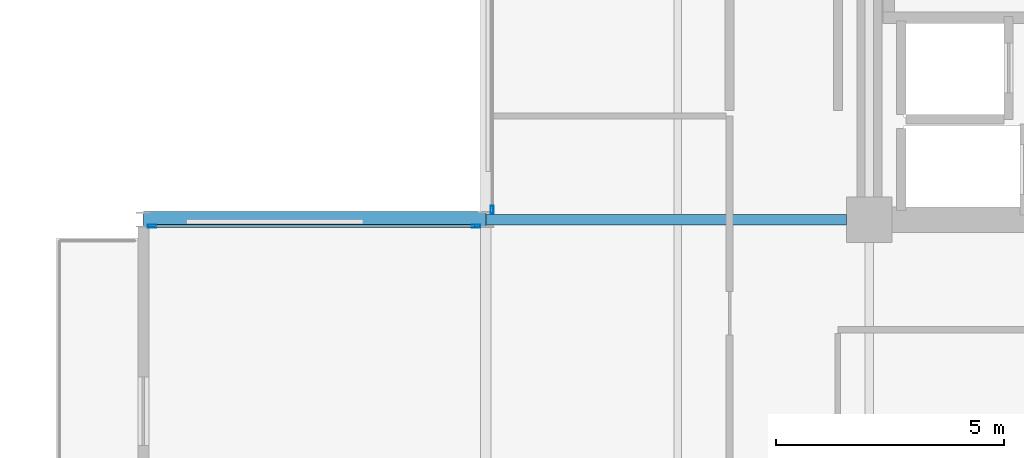
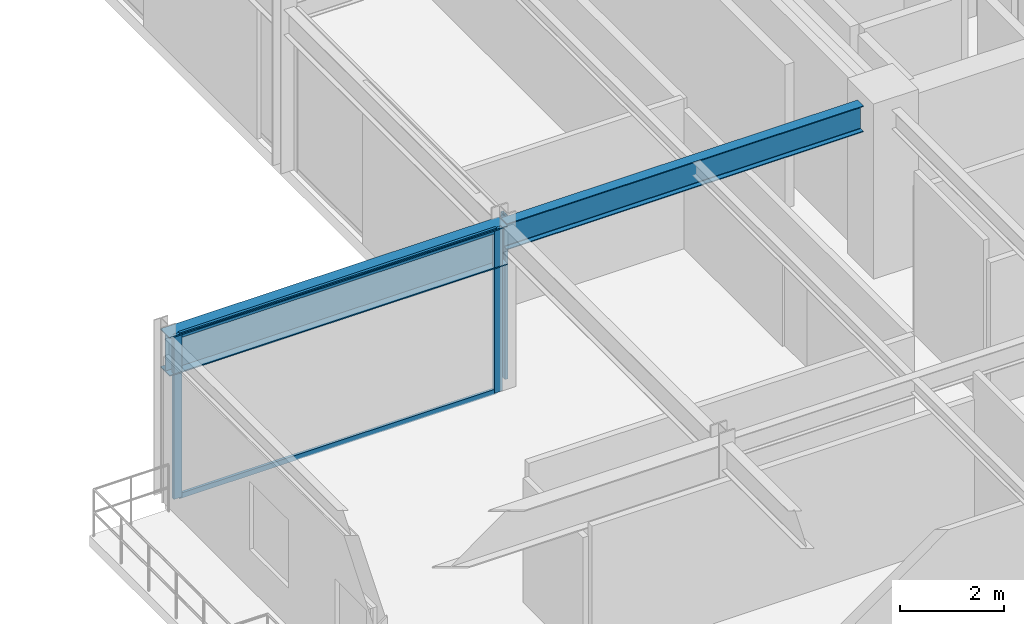
# One storey, part 9 of 29: 5 members, 2 beams, 2 elements without a shape of their own.
"""IFC4 building model written with IfcOpenShell, lengths in metres."""

from ifc_helpers import new_model, si_unit, direction, frame, origin, origin_2d, place, context, subcontext, project, spatial, hollow_rectangle, i_section, extrude, material, layer, layer_set, material_profile, profile_set, type_object, element, aggregate, save


model = new_model("IFC4")

# Units and contexts
model_context = context("Model", 3, precision=1e-05, world=origin(), true_north=direction((0.0, 1.0)))
body_context = subcontext(model_context, "Body", "Model", "MODEL_VIEW")
ifc_project = project(units=[si_unit("LENGTHUNIT", "METRE"), si_unit("AREAUNIT", "SQUARE_METRE"), si_unit("VOLUMEUNIT", "CUBIC_METRE"), si_unit("PLANEANGLEUNIT", "RADIAN"), si_unit("MASSUNIT", "GRAM", prefix="KILO")], contexts=[model_context])

# Site, building, storey
site_placement = place(None, origin())
site = spatial("IfcSite", under=ifc_project, at=site_placement, CompositionType="ELEMENT")
building_placement = place(site_placement, origin())
building = spatial("IfcBuilding", under=site, at=building_placement, Name="Nerrivon Quay Data Exchange", CompositionType="ELEMENT")
storey_placement = place(building_placement, frame((0.0, 0.0, 208.300048828125)))
storey = spatial("IfcBuildingStorey", under=building, at=storey_placement, Name="L49", CompositionType="ELEMENT", Elevation=208.300048828125)

# Beams
ifc_material_1 = material(Name="Steel Grade 350", Category="steel")
ifc_material_profile_1 = material_profile(ifc_material_1, i_section(OverallWidth=0.35009765625, OverallDepth=0.909912109375, WebThickness=0.011962890625, FlangeThickness=0.02490234375, at=origin_2d()), Name="900WB218")
ifc_profile_set_1 = profile_set([ifc_material_profile_1], Name="Steel Grade 350")
beam_type_1 = type_object("IfcBeamType", Name="BM-CANT-900WB", PredefinedType="USERDEFINED", material=ifc_profile_set_1)
beam_1_placement = place(storey_placement, frame((-0.010009765625, 25.199951171875, 3.369873046875), z_axis=(-1.0, 0.0, 0.0), x_axis=(0.0, -1.0, 0.0)))
element("IfcBeam", 1, at=beam_1_placement, inside=storey, type_object=beam_type_1, Name="L49 West Hooked Cantilever Girder Y=25.2", ObjectType="TRANSFER", PredefinedType="USERDEFINED", context=body_context, shape_type="SweptSolid", body=[
    extrude(i_section(OverallWidth=0.35009765625, OverallDepth=0.909912109375, WebThickness=0.011962890625, FlangeThickness=0.02490234375, at=origin_2d()), origin(), (0.0, 0.0, 1.0), 7.482177734375),
])
ifc_material_profile_2 = material_profile(ifc_material_1, i_section(OverallWidth=0.22900390625, OverallDepth=0.612060546875, WebThickness=0.011962890625, FlangeThickness=0.01953125, FilletRadius=0.013916015625, at=origin_2d()), Name="610UB125")
ifc_profile_set_2 = profile_set([ifc_material_profile_2], Name="Steel Grade 350")
beam_type_2 = type_object("IfcBeamType", Name="BM-G1-610UB125", PredefinedType="BEAM", material=ifc_profile_set_2)
beam_2_placement = place(storey_placement, frame((0.010009765625, 25.199951171875, 3.51904296875), z_axis=(1.0, 0.0, 0.0), x_axis=(0.0, 1.0, 0.0)))
element("IfcBeam", 2, at=beam_2_placement, inside=storey, type_object=beam_type_2, Name="L49 EW Girder Y=25.2 (0.0..8.4)", PredefinedType="BEAM", context=body_context, shape_type="SweptSolid", body=[
    extrude(i_section(OverallWidth=0.22900390625, OverallDepth=0.612060546875, WebThickness=0.011962890625, FlangeThickness=0.01953125, FilletRadius=0.013916015625, at=origin_2d()), origin(), (0.0, 0.0, 1.0), 7.889892578125),
])

# Curtain wall, members
ifc_material_2 = material(Name="Anodised aluminium 6063-T6", Category="aluminium")
ifc_layer_1 = layer(ifc_material_2, 0.199951171875)
ifc_layer_set_1 = layer_set([ifc_layer_1], Name="Anodised aluminium 6063-T6")
curtain_wall_type_1 = type_object("IfcCurtainWallType", Name="CW-SYS-04", PredefinedType="NOTDEFINED", material=ifc_layer_set_1)
curtain_wall_1_placement = place(storey_placement, origin())
curtain_wall_1 = element("IfcCurtainWall", 3, at=curtain_wall_1_placement, inside=storey, type_object=curtain_wall_type_1, Name="L49 Unitised Curtain Wall 3", PredefinedType="NOTDEFINED")
ifc_material_profile_3 = material_profile(ifc_material_2, hollow_rectangle(XDim=0.06494140625, YDim=0.179931640625, WallThickness=0.00341796875, at=origin_2d()), Name="ALU-MULL-180x65")
ifc_profile_set_3 = profile_set([ifc_material_profile_3], Name="Anodised aluminium 6063-T6")
member_type_1 = type_object("IfcMemberType", Name="CWM-180x65", PredefinedType="MULLION", material=ifc_profile_set_3)
member_1_placement = place(storey_placement, frame((-7.306884765625, 25.06005859375, 0.0), z_axis=(0.0, 0.0, 1.0), x_axis=(0.0, 1.0, 0.0)))
member_1 = element("IfcMember", 4, at=member_1_placement, type_object=member_type_1, Name="CW04 mullion 1", PredefinedType="MULLION", context=body_context, shape_type="SweptSolid", body=[
    extrude(hollow_rectangle(XDim=0.06494140625, YDim=0.179931640625, WallThickness=0.00341796875, at=origin_2d()), origin(), (0.0, 0.0, 1.0), 3.824951171875),
])
member_2_placement = place(storey_placement, frame((-0.21240234375, 25.06005859375, 0.0), z_axis=(0.0, 0.0, 1.0), x_axis=(0.0, 1.0, 0.0)))
member_2 = element("IfcMember", 5, at=member_2_placement, type_object=member_type_1, Name="CW04 mullion 2", PredefinedType="MULLION", context=body_context, shape_type="SweptSolid", body=[
    extrude(hollow_rectangle(XDim=0.06494140625, YDim=0.179931640625, WallThickness=0.00341796875, at=origin_2d()), origin(), (0.0, 0.0, 1.0), 3.824951171875),
])

# Curtain wall, member
ifc_layer_2 = layer(ifc_material_2, 0.195068359375)
ifc_layer_set_2 = layer_set([ifc_layer_2], Name="Anodised aluminium 6063-T6")
curtain_wall_type_2 = type_object("IfcCurtainWallType", Name="CW-SYS-06", PredefinedType="NOTDEFINED", material=ifc_layer_set_2)
curtain_wall_2_placement = place(storey_placement, origin())
curtain_wall_2 = element("IfcCurtainWall", 6, at=curtain_wall_2_placement, inside=storey, type_object=curtain_wall_type_2, Name="L49 Unitised Curtain Wall 4", PredefinedType="NOTDEFINED")
member_3_placement = place(storey_placement, frame((0.139892578125, 25.41259765625, 0.0), z_axis=(0.0, 0.0, 1.0), x_axis=(-1.0, 0.0, 0.0)))
member_3 = element("IfcMember", 7, at=member_3_placement, type_object=member_type_1, Name="CW06 mullion 1", PredefinedType="MULLION", context=body_context, shape_type="SweptSolid", body=[
    extrude(hollow_rectangle(XDim=0.06494140625, YDim=0.179931640625, WallThickness=0.00341796875, at=origin_2d()), origin(), (0.0, 0.0, 1.0), 3.824951171875),
])
aggregate(curtain_wall_2, [member_3])

# Member
ifc_material_profile_4 = material_profile(ifc_material_2, hollow_rectangle(XDim=0.06005859375, YDim=0.1201171875, WallThickness=0.003173828125, at=origin_2d()), Name="ALU-TRAN-120x60")
ifc_profile_set_4 = profile_set([ifc_material_profile_4], Name="Anodised aluminium 6063-T6")
member_type_2 = type_object("IfcMemberType", Name="CWT-120x60", PredefinedType="USERDEFINED", material=ifc_profile_set_4)
member_4_placement = place(storey_placement, frame((-7.26953125, 25.06005859375, 0.032470703125), z_axis=(1.0, 0.0, 0.0), x_axis=(0.0, 1.0, 0.0)))
member_4 = element("IfcMember", 8, at=member_4_placement, type_object=member_type_2, Name="CW04 transom 1.1", ObjectType="TRANSOM", PredefinedType="USERDEFINED", context=body_context, shape_type="SweptSolid", body=[
    extrude(hollow_rectangle(XDim=0.06005859375, YDim=0.1201171875, WallThickness=0.003173828125, at=origin_2d()), origin(), (0.0, 0.0, 1.0), 7.01953125),
])

member_5_placement = place(storey_placement, frame((-7.26953125, 25.06005859375, 3.79248046875), z_axis=(1.0, 0.0, 0.0), x_axis=(0.0, 1.0, 0.0)))
member_5 = element("IfcMember", 9, at=member_5_placement, type_object=member_type_2, Name="CW04 transom 1.2", ObjectType="TRANSOM", PredefinedType="USERDEFINED", context=body_context, shape_type="SweptSolid", body=[
    extrude(hollow_rectangle(XDim=0.06005859375, YDim=0.1201171875, WallThickness=0.003173828125, at=origin_2d()), origin(), (0.0, 0.0, 1.0), 7.01953125),
])

aggregate(curtain_wall_1, [member_1, member_2, member_4, member_5])

save(model, "model.ifc")
